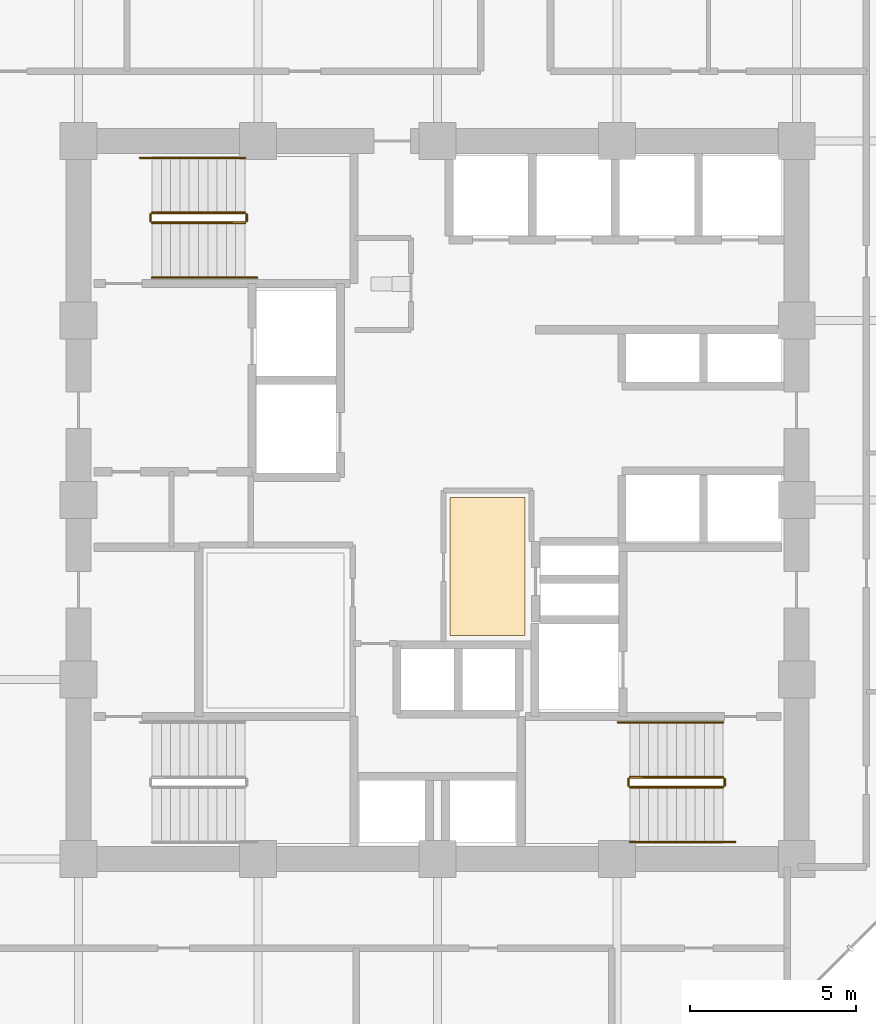
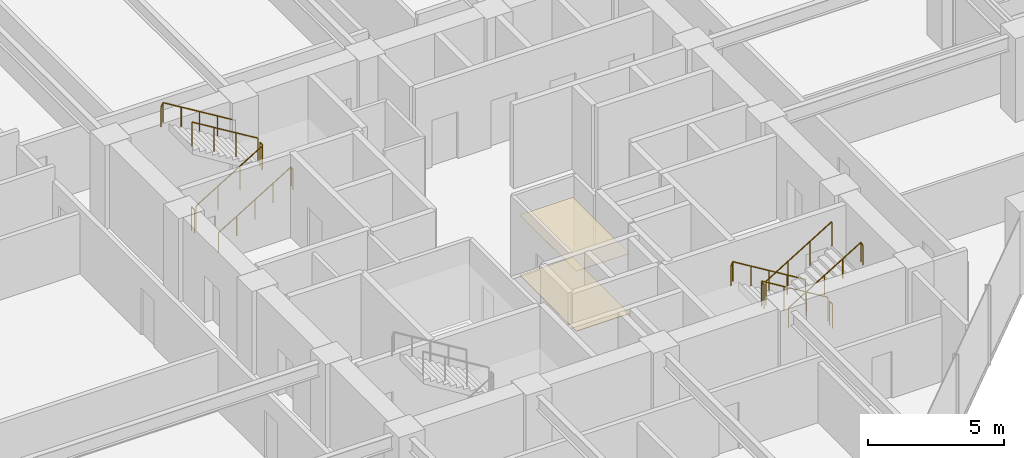
# One storey, part 27 of 29: 12 railings, 2 coverings.
"""IFC4 building model written with IfcOpenShell, lengths in metres."""

import ifcopenshell
import ifcopenshell.guid

model = None  # the IFC model being written
_history = None  # IfcOwnerHistory: only IFC2X3 demands one
_inside = {}  # id of a spatial element -> (the spatial element, [elements in it])
_under = {}  # id of a project, library or spatial element -> (it, [spatial elements below it])
_declared = {}  # id of a project -> (the project, [libraries it declares])
_typed = {}  # id of a type object -> (the type object, [elements of that type])
_made_of = {}  # id of a material, layer set ... -> (it, [elements and type objects made of it])


def new_model(schema):
    """Start an empty IFC model of exactly this schema.

    Asked for "IFC4X3", IfcOpenShell would pick the latest addendum, in which some entities
    have other attributes; the version numbers below select the first issue.
    IFC2X3 requires an IfcOwnerHistory on every rooted entity: one is made here for all.
    """
    global model, _history
    if schema == "IFC4X3":
        model = ifcopenshell.file(schema_version=(4, 3, 0, 0))
    else:
        model = ifcopenshell.file(schema=schema)
    _inside.clear()
    _under.clear()
    _declared.clear()
    _typed.clear()
    _made_of.clear()
    _history = None
    if model.schema == "IFC2X3":
        org = make("IfcOrganization", Name="unknown")
        user = make(
            "IfcPersonAndOrganization",
            ThePerson=make("IfcPerson", FamilyName="unknown"),
            TheOrganization=org,
        )
        app = make(
            "IfcApplication",
            ApplicationDeveloper=org,
            Version="unknown",
            ApplicationFullName="unknown",
            ApplicationIdentifier="unknown",
        )
        _history = make(
            "IfcOwnerHistory",
            OwningUser=user,
            OwningApplication=app,
            ChangeAction="ADDED",
            CreationDate=0,
        )
    return model


def make(cls, **values):
    """One entity of the class cls with the attributes given. An attribute that is None is left unset."""
    return model.create_entity(
        cls, **{name: value for name, value in values.items() if value is not None}
    )


def rooted(cls, **values):
    """An entity with a GlobalId (a new one), such as an element, a storey or a relation."""
    return make(cls, GlobalId=ifcopenshell.guid.new(), OwnerHistory=_history, **values)


def si_unit(unit_type, name, prefix=None):
    """IfcSIUnit, for example si_unit("LENGTHUNIT", "METRE", prefix="MILLI")."""
    return make("IfcSIUnit", UnitType=unit_type, Prefix=prefix, Name=name)


def assignment(units):
    """IfcUnitAssignment: the units of a project."""
    return None if units is None else make("IfcUnitAssignment", Units=units)


def point(xyz):
    """IfcCartesianPoint."""
    return None if xyz is None else make("IfcCartesianPoint", Coordinates=xyz)


def direction(xyz):
    """IfcDirection."""
    return None if xyz is None else make("IfcDirection", DirectionRatios=xyz)


def frame(location, z_axis=None, x_axis=None):
    """IfcAxis2Placement3D, a coordinate frame: its origin and axes. An axis left out is left unset."""
    return make(
        "IfcAxis2Placement3D",
        Location=point(location),
        Axis=direction(z_axis),
        RefDirection=direction(x_axis),
    )


def frame_2d(location, x_axis=None):
    """IfcAxis2Placement2D, a coordinate frame in the plane: its origin and x axis."""
    return make(
        "IfcAxis2Placement2D", Location=point(location), RefDirection=direction(x_axis)
    )


def origin():
    """The frame at (0, 0, 0) with its axes left unset."""
    return frame((0.0, 0.0, 0.0))


def origin_2d():
    """The frame at (0, 0) in the plane with its x axis left unset."""
    return frame_2d((0.0, 0.0))


def place(relative_to, where):
    """IfcLocalPlacement: puts the frame where relative to a parent placement (None: the world)."""
    return make(
        "IfcLocalPlacement", PlacementRelTo=relative_to, RelativePlacement=where
    )


def context(
    kind, dimensions, precision=None, world=None, true_north=None, identifier=None
):
    """IfcGeometricRepresentationContext, for example the 3D "Model" context."""
    return make(
        "IfcGeometricRepresentationContext",
        ContextIdentifier=identifier,
        ContextType=kind,
        CoordinateSpaceDimension=dimensions,
        Precision=precision,
        WorldCoordinateSystem=world,
        TrueNorth=true_north,
    )


def subcontext(parent, identifier, kind, view, scale=None):
    """IfcGeometricRepresentationSubContext, for example "Body" below "Model"."""
    return make(
        "IfcGeometricRepresentationSubContext",
        ContextIdentifier=identifier,
        ContextType=kind,
        ParentContext=parent,
        TargetScale=scale,
        TargetView=view,
    )


def project(units=None, contexts=None):
    """IfcProject with its units and contexts."""
    return rooted(
        "IfcProject",
        Name="project",
        RepresentationContexts=contexts,
        UnitsInContext=assignment(units),
    )


def spatial(cls, under=None, at=None, **own):
    """A site, building, storey or space (cls), placed at a placement, below another one or the project."""
    s = rooted(cls, ObjectPlacement=at, **own)
    if under is not None:
        _under.setdefault(under.id(), (under, []))[1].append(s)
    return s


def polyline(points):
    """IfcPolyline through the points."""
    return make("IfcPolyline", Points=[point(p) for p in points])


def profile(cls, at=None, kind="AREA", **sizes):
    """A parametric profile (cls). Its sizes go by their IFC names, for example OverallWidth=200.0."""
    return make(cls, ProfileType=kind, Position=at, **sizes)


def circle(**sizes):
    """IfcCircleProfileDef."""
    return profile("IfcCircleProfileDef", **sizes)


def outline(outer, holes=None, kind="AREA"):
    """IfcArbitraryClosedProfileDef: a profile drawn as a closed curve; with holes, ...WithVoids."""
    if holes is None:
        return make("IfcArbitraryClosedProfileDef", ProfileType=kind, OuterCurve=outer)
    return make(
        "IfcArbitraryProfileDefWithVoids",
        ProfileType=kind,
        OuterCurve=outer,
        InnerCurves=holes,
    )


def extrude(swept, where, along, depth):
    """IfcExtrudedAreaSolid: the profile swept, set in the frame where, extruded along a direction by depth."""
    return make(
        "IfcExtrudedAreaSolid",
        SweptArea=swept,
        Position=where,
        ExtrudedDirection=direction(along),
        Depth=depth,
    )


def shape(context_of_items, identifier, shape_type, items):
    """IfcShapeRepresentation: the items that make up one representation, for example the "Body"."""
    return make(
        "IfcShapeRepresentation",
        ContextOfItems=context_of_items,
        RepresentationIdentifier=identifier,
        RepresentationType=shape_type,
        Items=items,
    )


def material(Name=None, Category=None):
    """IfcMaterial."""
    return make("IfcMaterial", Name=Name, Category=Category)


def layer(
    of_material, thickness, ventilated=None, Name=None, Category=None, Priority=None
):
    """IfcMaterialLayer: one layer of a wall or slab, of a material (None: an air gap)."""
    return make(
        "IfcMaterialLayer",
        Material=of_material,
        LayerThickness=thickness,
        IsVentilated=ventilated,
        Name=Name,
        Category=Category,
        Priority=Priority,
    )


def layer_set(layers, Name=None):
    """IfcMaterialLayerSet."""
    return make("IfcMaterialLayerSet", MaterialLayers=layers, LayerSetName=Name)


def made_of(thing, what):
    """Note that an element or type object is made of a material, layer set ...; save() writes the relation."""
    if what is not None:
        _made_of.setdefault(what.id(), (what, []))[1].append(thing)
    return thing


def type_object(cls, material=None, **own):
    """A type object (cls), such as IfcWallType, which elements share."""
    return made_of(rooted(cls, **own), material)


def element(
    cls,
    number,
    at=None,
    inside=None,
    cuts=None,
    type_object=None,
    material=None,
    context=None,
    identifier="Body",
    shape_type=None,
    held_by="IfcProductDefinitionShape",
    body=None,
    shapes=None,
    **own,
):
    """One element of the class cls, such as IfcWall. Its Tag is "e" and its number.

    at: its placement. inside: the storey or other place that contains it. cuts: it is an
    opening in that element (IfcRelVoidsElement). A single representation is given by context,
    identifier, shape_type and body (its items); several are given by shapes. held_by: the class
    of the entity that holds the representations. save() writes the other relations.
    """
    e = rooted(cls, Tag="e%d" % number, ObjectPlacement=at, **own)
    if body is not None:
        shapes = [shape(context, identifier, shape_type, body)]
    if shapes is not None:
        e.Representation = make(held_by, Representations=shapes)
    if inside is not None:
        _inside.setdefault(inside.id(), (inside, []))[1].append(e)
    if cuts is not None:
        rooted(
            "IfcRelVoidsElement", RelatingBuildingElement=cuts, RelatedOpeningElement=e
        )
    if type_object is not None:
        _typed.setdefault(type_object.id(), (type_object, []))[1].append(e)
    return made_of(e, material)


def aggregate(whole, parts):
    """IfcRelAggregates: a whole, such as a stair, and the parts it consists of."""
    return rooted("IfcRelAggregates", RelatingObject=whole, RelatedObjects=parts)


def save(model, path):
    """Write the relations noted so far, then the file.

    IfcRelAggregates (storeys below a building ...), IfcRelContainedInSpatialStructure (elements
    in a storey), IfcRelDefinesByType, IfcRelAssociatesMaterial and IfcRelDeclares: one each for
    every whole, place, type object, material and project.
    """
    for whole, parts in _under.values():
        aggregate(whole, parts)
    for where, things in _inside.values():
        rooted(
            "IfcRelContainedInSpatialStructure",
            RelatedElements=things,
            RelatingStructure=where,
        )
    for kind, things in _typed.values():
        rooted("IfcRelDefinesByType", RelatedObjects=things, RelatingType=kind)
    for what, things in _made_of.values():
        rooted("IfcRelAssociatesMaterial", RelatedObjects=things, RelatingMaterial=what)
    for by, libraries in _declared.values():
        rooted("IfcRelDeclares", RelatingContext=by, RelatedDefinitions=libraries)
    model.write(path)


model = new_model("IFC4")

# Units and contexts
model_context = context("Model", 3, precision=1e-05, world=origin(), true_north=direction((0.0, 1.0)))
body_context = subcontext(model_context, "Body", "Model", "MODEL_VIEW")
ifc_project = project(units=[si_unit("LENGTHUNIT", "METRE"), si_unit("AREAUNIT", "SQUARE_METRE"), si_unit("VOLUMEUNIT", "CUBIC_METRE"), si_unit("PLANEANGLEUNIT", "RADIAN"), si_unit("MASSUNIT", "GRAM", prefix="KILO")], contexts=[model_context])

# Site, building, storey
site_placement = place(None, origin())
site = spatial("IfcSite", under=ifc_project, at=site_placement, CompositionType="ELEMENT")
building_placement = place(site_placement, origin())
building = spatial("IfcBuilding", under=site, at=building_placement, Name="Surkhivell Harbour Commons", CompositionType="ELEMENT")
storey_placement = place(building_placement, frame((0.0, 0.0, 90.75)))
storey = spatial("IfcBuildingStorey", under=building, at=storey_placement, Name="L23", CompositionType="ELEMENT", Elevation=90.75)

# Coverings
ifc_material_1 = material(Name="Perforated acoustic mineral-fibre ceiling tile", Category="other")
ifc_layer_1 = layer(ifc_material_1, 0.02490234375)
ifc_layer_set_1 = layer_set([ifc_layer_1], Name="Perforated acoustic mineral-fibre ceiling tile")
covering_type_1 = type_object("IfcCoveringType", Name="COV-CEIL-AC", PredefinedType="CEILING", material=ifc_layer_set_1)
covering_1_placement = place(storey_placement, frame((0.0, 0.0, 2.694091796875)))
element("IfcCovering", 1, at=covering_1_placement, inside=storey, type_object=covering_type_1, Name="L23 Suspended Acoustic Ceiling 1", PredefinedType="CEILING", context=body_context, shape_type="SweptSolid", body=[
    extrude(outline(polyline([(0.3701171875, -4.080078125), (2.6298828125, -4.080078125), (2.6298828125, 0.080078125), (0.3701171875, 0.080078125), (0.3701171875, -4.080078125)])), origin(), (0.0, 0.0, 1.0), 0.02490234375),
])
ifc_material_2 = material(Name="Engineered acoustic oak timber flooring", Category="wood")
ifc_layer_2 = layer(ifc_material_2, 0.02001953125)
ifc_layer_set_2 = layer_set([ifc_layer_2], Name="Engineered acoustic oak timber flooring")
covering_type_2 = type_object("IfcCoveringType", Name="COV-FLR-TIM", PredefinedType="FLOORING", material=ifc_layer_set_2)
covering_2_placement = place(storey_placement, origin())
element("IfcCovering", 2, at=covering_2_placement, inside=storey, type_object=covering_type_2, Name="L23 Interior Floor Finish 1", PredefinedType="FLOORING", context=body_context, shape_type="SweptSolid", body=[
    extrude(outline(polyline([(0.3701171875, -4.080078125), (2.6298828125, -4.080078125), (2.6298828125, 0.080078125), (0.3701171875, 0.080078125), (0.3701171875, -4.080078125)])), origin(), (0.0, 0.0, 1.0), 0.02001953125),
])

# Railings
ifc_material_3 = material(Name="Galvanised and painted steel S355 guard rail", Category="steel")
railing_type_1 = type_object("IfcRailingType", Name="RAL-ST-GRD1100", PredefinedType="GUARDRAIL", material=ifc_material_3)
railing_1_placement = place(storey_placement, frame((-8.590087890625, 8.340087890625, 0.17041015625)))
element("IfcRailing", 3, at=railing_1_placement, inside=storey, type_object=railing_type_1, Name="L23 ST1 stair guard 1", PredefinedType="GUARDRAIL", context=body_context, shape_type="SweptSolid", body=[
    extrude(circle(Radius=0.02392578125, at=origin_2d()), frame((0.0, 0.0, 1.076171875), z_axis=(0.854169791009, 0.0, 0.51999420009), x_axis=(0.0, 1.0, 0.0)), (0.0, 0.0, 1.0), 3.278076171875),
    extrude(circle(Radius=0.02099609375, at=origin_2d()), origin(), (0.0, 0.0, 1.0), 1.052001953125),
    extrude(circle(Radius=0.02099609375, at=origin_2d()), frame((0.933349609375, 0.0, 0.568115234375)), (0.0, 0.0, 1.0), 1.052001953125),
    extrude(circle(Radius=0.02099609375, at=origin_2d()), frame((1.86669921875, 0.0, 1.136474609375)), (0.0, 0.0, 1.0), 1.052001953125),
    extrude(circle(Radius=0.02099609375, at=origin_2d()), frame((2.800048828125, 0.0, 1.70458984375)), (0.0, 0.0, 1.0), 1.052001953125),
])
railing_2_placement = place(storey_placement, frame((-5.739990234375, 8.389892578125, 1.875)))
element("IfcRailing", 4, at=railing_2_placement, inside=storey, type_object=railing_type_1, Name="L23 ST1 stair guard 2", PredefinedType="GUARDRAIL", context=body_context, shape_type="SweptSolid", body=[
    extrude(circle(Radius=0.02392578125, at=origin_2d()), frame((0.0, 0.0, 1.076171875), z_axis=(0.0, 1.0, 0.0), x_axis=(-1.0, 0.0, 0.0)), (0.0, 0.0, 1.0), 0.2001953125),
    extrude(circle(Radius=0.02099609375, at=origin_2d()), origin(), (0.0, 0.0, 1.0), 1.052001953125),
    extrude(circle(Radius=0.02099609375, at=origin_2d()), frame((0.0, 0.2001953125, 0.0)), (0.0, 0.0, 1.0), 1.052001953125),
])
railing_3_placement = place(storey_placement, frame((-5.7900390625, 8.639892578125, 2.04541015625)))
element("IfcRailing", 5, at=railing_3_placement, inside=storey, type_object=railing_type_1, Name="L23 ST1 stair guard 3", PredefinedType="GUARDRAIL", context=body_context, shape_type="SweptSolid", body=[
    extrude(circle(Radius=0.02392578125, at=origin_2d()), frame((0.0, 0.0, 1.076171875), z_axis=(-0.854169791009, 0.0, 0.51999420009), x_axis=(0.0, -1.0, 0.0)), (0.0, 0.0, 1.0), 3.278076171875),
    extrude(circle(Radius=0.02099609375, at=origin_2d()), origin(), (0.0, 0.0, 1.0), 1.052001953125),
    extrude(circle(Radius=0.02099609375, at=origin_2d()), frame((-0.933349609375, 0.0, 0.568115234375)), (0.0, 0.0, 1.0), 1.052001953125),
    extrude(circle(Radius=0.02099609375, at=origin_2d()), frame((-1.86669921875, 0.0, 1.136474609375)), (0.0, 0.0, 1.0), 1.052001953125),
    extrude(circle(Radius=0.02099609375, at=origin_2d()), frame((-2.800048828125, 0.0, 1.70458984375)), (0.0, 0.0, 1.0), 1.052001953125),
])
railing_4_placement = place(storey_placement, frame((-8.639892578125, 8.389892578125, 0.0)))
element("IfcRailing", 6, at=railing_4_placement, inside=storey, type_object=railing_type_1, Name="L23 ST1 stair guard 4", PredefinedType="GUARDRAIL", context=body_context, shape_type="SweptSolid", body=[
    extrude(circle(Radius=0.02392578125, at=origin_2d()), frame((0.0, 0.0, 1.076171875), z_axis=(0.0, 1.0, 0.0), x_axis=(-1.0, 0.0, 0.0)), (0.0, 0.0, 1.0), 0.2001953125),
    extrude(circle(Radius=0.02099609375, at=origin_2d()), origin(), (0.0, 0.0, 1.0), 1.052001953125),
    extrude(circle(Radius=0.02099609375, at=origin_2d()), frame((0.0, 0.2001953125, 0.0)), (0.0, 0.0, 1.0), 1.052001953125),
])
railing_5_placement = place(storey_placement, frame((8.590087890625, -8.340087890625, 0.17041015625)))
element("IfcRailing", 7, at=railing_5_placement, inside=storey, type_object=railing_type_1, Name="L23 ST2 stair guard 1", PredefinedType="GUARDRAIL", context=body_context, shape_type="SweptSolid", body=[
    extrude(circle(Radius=0.02392578125, at=origin_2d()), frame((0.0, 0.0, 1.076171875), z_axis=(-0.854169791009, 0.0, 0.51999420009), x_axis=(0.0, -1.0, 0.0)), (0.0, 0.0, 1.0), 3.278076171875),
    extrude(circle(Radius=0.02099609375, at=origin_2d()), origin(), (0.0, 0.0, 1.0), 1.052001953125),
    extrude(circle(Radius=0.02099609375, at=origin_2d()), frame((-0.933349609375, 0.0, 0.568115234375)), (0.0, 0.0, 1.0), 1.052001953125),
    extrude(circle(Radius=0.02099609375, at=origin_2d()), frame((-1.86669921875, 0.0, 1.136474609375)), (0.0, 0.0, 1.0), 1.052001953125),
    extrude(circle(Radius=0.02099609375, at=origin_2d()), frame((-2.800048828125, 0.0, 1.70458984375)), (0.0, 0.0, 1.0), 1.052001953125),
])
railing_6_placement = place(storey_placement, frame((5.739990234375, -8.389892578125, 1.875)))
element("IfcRailing", 8, at=railing_6_placement, inside=storey, type_object=railing_type_1, Name="L23 ST2 stair guard 2", PredefinedType="GUARDRAIL", context=body_context, shape_type="SweptSolid", body=[
    extrude(circle(Radius=0.02392578125, at=origin_2d()), frame((0.0, 0.0, 1.076171875), z_axis=(0.0, -1.0, 0.0), x_axis=(1.0, 0.0, 0.0)), (0.0, 0.0, 1.0), 0.2001953125),
    extrude(circle(Radius=0.02099609375, at=origin_2d()), origin(), (0.0, 0.0, 1.0), 1.052001953125),
    extrude(circle(Radius=0.02099609375, at=origin_2d()), frame((0.0, -0.2001953125, 0.0)), (0.0, 0.0, 1.0), 1.052001953125),
])
railing_7_placement = place(storey_placement, frame((5.7900390625, -8.639892578125, 2.04541015625)))
element("IfcRailing", 9, at=railing_7_placement, inside=storey, type_object=railing_type_1, Name="L23 ST2 stair guard 3", PredefinedType="GUARDRAIL", context=body_context, shape_type="SweptSolid", body=[
    extrude(circle(Radius=0.02392578125, at=origin_2d()), frame((0.0, 0.0, 1.076171875), z_axis=(0.854169791009, 0.0, 0.51999420009), x_axis=(0.0, 1.0, 0.0)), (0.0, 0.0, 1.0), 3.278076171875),
    extrude(circle(Radius=0.02099609375, at=origin_2d()), origin(), (0.0, 0.0, 1.0), 1.052001953125),
    extrude(circle(Radius=0.02099609375, at=origin_2d()), frame((0.933349609375, 0.0, 0.568115234375)), (0.0, 0.0, 1.0), 1.052001953125),
    extrude(circle(Radius=0.02099609375, at=origin_2d()), frame((1.86669921875, 0.0, 1.136474609375)), (0.0, 0.0, 1.0), 1.052001953125),
    extrude(circle(Radius=0.02099609375, at=origin_2d()), frame((2.800048828125, 0.0, 1.70458984375)), (0.0, 0.0, 1.0), 1.052001953125),
])
railing_8_placement = place(storey_placement, frame((8.639892578125, -8.389892578125, 0.0)))
element("IfcRailing", 10, at=railing_8_placement, inside=storey, type_object=railing_type_1, Name="L23 ST2 stair guard 4", PredefinedType="GUARDRAIL", context=body_context, shape_type="SweptSolid", body=[
    extrude(circle(Radius=0.02392578125, at=origin_2d()), frame((0.0, 0.0, 1.076171875), z_axis=(0.0, -1.0, 0.0), x_axis=(1.0, 0.0, 0.0)), (0.0, 0.0, 1.0), 0.2001953125),
    extrude(circle(Radius=0.02099609375, at=origin_2d()), origin(), (0.0, 0.0, 1.0), 1.052001953125),
    extrude(circle(Radius=0.02099609375, at=origin_2d()), frame((0.0, -0.2001953125, 0.0)), (0.0, 0.0, 1.0), 1.052001953125),
])
ifc_material_4 = material(Name="Brushed stainless steel S355 handrail", Category="steel")
railing_type_2 = type_object("IfcRailingType", Name="RAL-ST-HND900", PredefinedType="HANDRAIL", material=ifc_material_4)
railing_9_placement = place(storey_placement, frame((-8.590087890625, 6.68994140625, 0.17041015625)))
element("IfcRailing", 11, at=railing_9_placement, inside=storey, type_object=railing_type_2, Name="L23 ST1 stair handrail 1", PredefinedType="HANDRAIL", context=body_context, shape_type="SweptSolid", body=[
    extrude(circle(Radius=0.02392578125, at=origin_2d()), frame((0.0, 0.0, 0.8759765625), z_axis=(0.854177636135, 0.0, 0.519981313056), x_axis=(0.0, 1.0, 0.0)), (0.0, 0.0, 1.0), 3.60595703125),
    extrude(circle(Radius=0.02392578125, at=origin_2d()), frame((3.080078125, 0.0, 2.7509765625), z_axis=(0.425297416671, 0.0, -0.905053648892), x_axis=(0.0, 1.0, 0.0)), (0.0, 0.0, 1.0), 0.188232421875),
    extrude(circle(Radius=0.02099609375, at=origin_2d()), origin(), (0.0, 0.0, 1.0), 0.851806640625),
    extrude(circle(Radius=0.02099609375, at=origin_2d()), frame((0.77001953125, 0.0, 0.46875)), (0.0, 0.0, 1.0), 0.851806640625),
    extrude(circle(Radius=0.02099609375, at=origin_2d()), frame((1.5400390625, 0.0, 0.9375)), (0.0, 0.0, 1.0), 0.851806640625),
    extrude(circle(Radius=0.02099609375, at=origin_2d()), frame((2.31005859375, 0.0, 1.40625)), (0.0, 0.0, 1.0), 0.851806640625),
    extrude(circle(Radius=0.02099609375, at=origin_2d()), frame((3.080078125, 0.0, 1.875)), (0.0, 0.0, 1.0), 0.851806640625),
    extrude(circle(Radius=0.02099609375, at=origin_2d()), frame((3.16015625, 0.0, 1.70458984375)), (0.0, 0.0, 1.0), 0.851806640625),
])
railing_10_placement = place(storey_placement, frame((-5.7900390625, 10.2900390625, 2.04541015625)))
element("IfcRailing", 12, at=railing_10_placement, inside=storey, type_object=railing_type_2, Name="L23 ST1 stair handrail 2", PredefinedType="HANDRAIL", context=body_context, shape_type="SweptSolid", body=[
    extrude(circle(Radius=0.02392578125, at=origin_2d()), frame((0.0, 0.0, 0.8759765625), z_axis=(-0.854177636135, 0.0, 0.519981313056), x_axis=(0.0, -1.0, 0.0)), (0.0, 0.0, 1.0), 3.60595703125),
    extrude(circle(Radius=0.02392578125, at=origin_2d()), frame((-3.080078125, 0.0, 2.7509765625), z_axis=(-0.424234432967, 0.0, -0.905552398199), x_axis=(0.0, -1.0, 0.0)), (0.0, 0.0, 1.0), 0.188232421875),
    extrude(circle(Radius=0.02099609375, at=origin_2d()), origin(), (0.0, 0.0, 1.0), 0.851806640625),
    extrude(circle(Radius=0.02099609375, at=origin_2d()), frame((-0.77001953125, 0.0, 0.46875)), (0.0, 0.0, 1.0), 0.851806640625),
    extrude(circle(Radius=0.02099609375, at=origin_2d()), frame((-1.5400390625, 0.0, 0.9375)), (0.0, 0.0, 1.0), 0.851806640625),
    extrude(circle(Radius=0.02099609375, at=origin_2d()), frame((-2.31005859375, 0.0, 1.40625)), (0.0, 0.0, 1.0), 0.851806640625),
    extrude(circle(Radius=0.02099609375, at=origin_2d()), frame((-3.080078125, 0.0, 1.875)), (0.0, 0.0, 1.0), 0.851806640625),
    extrude(circle(Radius=0.02099609375, at=origin_2d()), frame((-3.159912109375, 0.0, 1.70458984375)), (0.0, 0.0, 1.0), 0.851806640625),
])
railing_11_placement = place(storey_placement, frame((8.590087890625, -6.68994140625, 0.17041015625)))
element("IfcRailing", 13, at=railing_11_placement, inside=storey, type_object=railing_type_2, Name="L23 ST2 stair handrail 1", PredefinedType="HANDRAIL", context=body_context, shape_type="SweptSolid", body=[
    extrude(circle(Radius=0.02392578125, at=origin_2d()), frame((0.0, 0.0, 0.8759765625), z_axis=(-0.854177636135, 0.0, 0.519981313056), x_axis=(0.0, -1.0, 0.0)), (0.0, 0.0, 1.0), 3.60595703125),
    extrude(circle(Radius=0.02392578125, at=origin_2d()), frame((-3.080078125, 0.0, 2.7509765625), z_axis=(-0.425297416671, 0.0, -0.905053648892), x_axis=(0.0, -1.0, 0.0)), (0.0, 0.0, 1.0), 0.188232421875),
    extrude(circle(Radius=0.02099609375, at=origin_2d()), origin(), (0.0, 0.0, 1.0), 0.851806640625),
    extrude(circle(Radius=0.02099609375, at=origin_2d()), frame((-0.77001953125, 0.0, 0.46875)), (0.0, 0.0, 1.0), 0.851806640625),
    extrude(circle(Radius=0.02099609375, at=origin_2d()), frame((-1.5400390625, 0.0, 0.9375)), (0.0, 0.0, 1.0), 0.851806640625),
    extrude(circle(Radius=0.02099609375, at=origin_2d()), frame((-2.31005859375, 0.0, 1.40625)), (0.0, 0.0, 1.0), 0.851806640625),
    extrude(circle(Radius=0.02099609375, at=origin_2d()), frame((-3.080078125, 0.0, 1.875)), (0.0, 0.0, 1.0), 0.851806640625),
    extrude(circle(Radius=0.02099609375, at=origin_2d()), frame((-3.16015625, 0.0, 1.70458984375)), (0.0, 0.0, 1.0), 0.851806640625),
])
railing_12_placement = place(storey_placement, frame((5.7900390625, -10.2900390625, 2.04541015625)))
element("IfcRailing", 14, at=railing_12_placement, inside=storey, type_object=railing_type_2, Name="L23 ST2 stair handrail 2", PredefinedType="HANDRAIL", context=body_context, shape_type="SweptSolid", body=[
    extrude(circle(Radius=0.02392578125, at=origin_2d()), frame((0.0, 0.0, 0.8759765625), z_axis=(0.854177636135, 0.0, 0.519981313056), x_axis=(0.0, 1.0, 0.0)), (0.0, 0.0, 1.0), 3.60595703125),
    extrude(circle(Radius=0.02392578125, at=origin_2d()), frame((3.080078125, 0.0, 2.7509765625), z_axis=(0.424234432967, 0.0, -0.905552398199), x_axis=(0.0, 1.0, 0.0)), (0.0, 0.0, 1.0), 0.188232421875),
    extrude(circle(Radius=0.02099609375, at=origin_2d()), origin(), (0.0, 0.0, 1.0), 0.851806640625),
    extrude(circle(Radius=0.02099609375, at=origin_2d()), frame((0.77001953125, 0.0, 0.46875)), (0.0, 0.0, 1.0), 0.851806640625),
    extrude(circle(Radius=0.02099609375, at=origin_2d()), frame((1.5400390625, 0.0, 0.9375)), (0.0, 0.0, 1.0), 0.851806640625),
    extrude(circle(Radius=0.02099609375, at=origin_2d()), frame((2.31005859375, 0.0, 1.40625)), (0.0, 0.0, 1.0), 0.851806640625),
    extrude(circle(Radius=0.02099609375, at=origin_2d()), frame((3.080078125, 0.0, 1.875)), (0.0, 0.0, 1.0), 0.851806640625),
    extrude(circle(Radius=0.02099609375, at=origin_2d()), frame((3.159912109375, 0.0, 1.70458984375)), (0.0, 0.0, 1.0), 0.851806640625),
])

save(model, "model.ifc")
